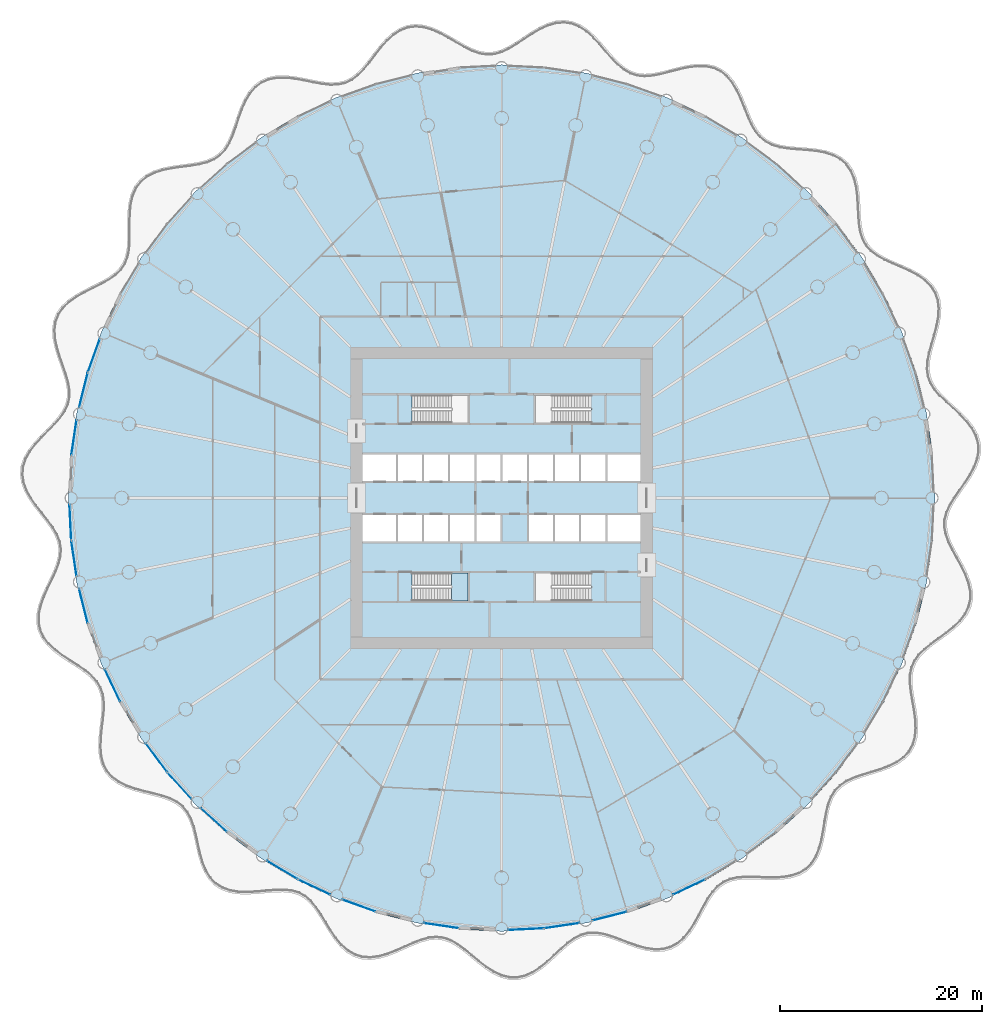
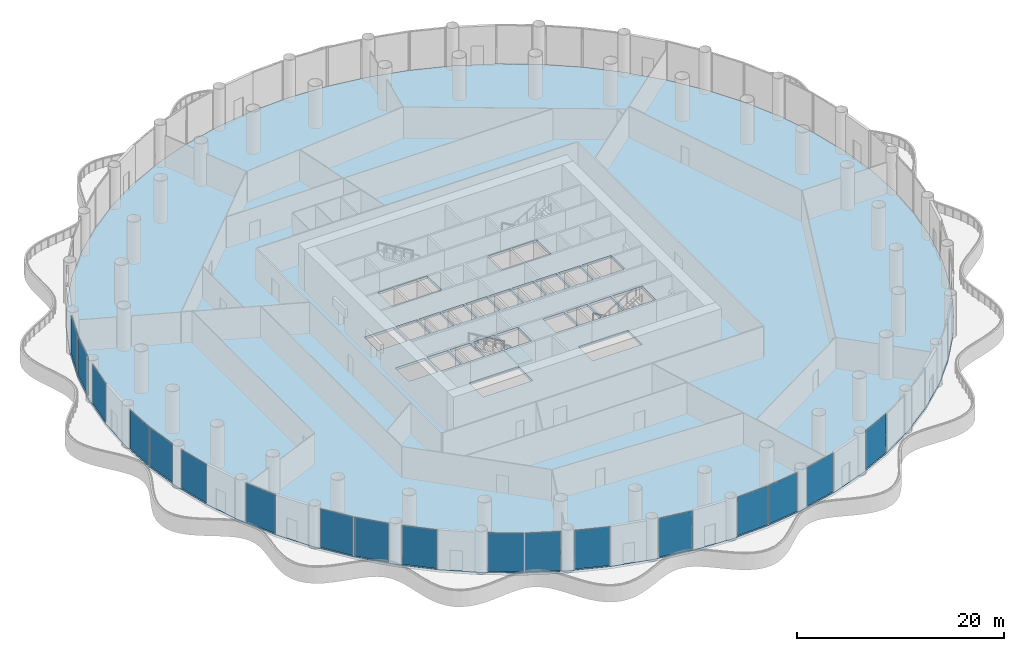
# One storey, part 19 of 35: 18 plates, 2 slabs, 19 elements without a shape of their own.
"""IFC4 building model written with IfcOpenShell, lengths in metres."""

from ifc_helpers import new_model, si_unit, direction, frame, origin, origin_2d, place, context, subcontext, project, spatial, polyline, rectangle, outline, extrude, material, layer, layer_set, type_object, element, aggregate, save


model = new_model("IFC4")

# Units and contexts
model_context = context("Model", 3, precision=1e-05, world=origin(), true_north=direction((0.0, 1.0)))
body_context = subcontext(model_context, "Body", "Model", "MODEL_VIEW")
ifc_project = project(units=[si_unit("LENGTHUNIT", "METRE"), si_unit("AREAUNIT", "SQUARE_METRE"), si_unit("VOLUMEUNIT", "CUBIC_METRE"), si_unit("PLANEANGLEUNIT", "RADIAN"), si_unit("MASSUNIT", "GRAM", prefix="KILO")], contexts=[model_context])

# Site, building, storey
site_placement = place(None, origin())
site = spatial("IfcSite", under=ifc_project, at=site_placement, CompositionType="ELEMENT")
building_placement = place(site_placement, origin())
building = spatial("IfcBuilding", under=site, at=building_placement, Name="Corvane Civic Tower", CompositionType="ELEMENT")
storey_placement = place(building_placement, frame((0.0, 0.0, 27.0)))
storey = spatial("IfcBuildingStorey", under=building, at=storey_placement, Name="L05", CompositionType="ELEMENT", Elevation=27.0)

# Slab
ifc_material_1 = material(Name="Concrete C40/50", Category="concrete")
ifc_layer_1 = layer(ifc_material_1, 0.300048828125)
ifc_layer_set_1 = layer_set([ifc_layer_1], Name="Concrete C40/50")
slab_type_1 = type_object("IfcSlabType", Name="FLOOR SLAB 300", PredefinedType="FLOOR", material=ifc_layer_set_1)
slab_1_placement = place(storey_placement, frame((0.0, 0.0, -0.300048828125)))
element("IfcSlab", 1, at=slab_1_placement, inside=storey, type_object=slab_type_1, Name="SLB-L05", PredefinedType="FLOOR", context=body_context, shape_type="SweptSolid", body=[
    extrude(outline(polyline([(0.0, 43.0), (-4.21484375, 42.79296875), (-8.388916015625, 42.173828125), (-12.482177734375, 41.1484375), (-16.455322265625, 39.726806640625), (-20.27001953125, 37.922607421875), (-23.889404296875, 35.753173828125), (-27.27880859375, 33.239501953125), (-30.405517578125, 30.405517578125), (-33.239501953125, 27.27880859375), (-35.753173828125, 23.889404296875), (-37.922607421875, 20.27001953125), (-39.726806640625, 16.455322265625), (-41.1484375, 12.482177734375), (-42.173828125, 8.388916015625), (-42.79296875, 4.21484375), (-43.0, 0.0), (-42.79296875, -4.21484375), (-42.173828125, -8.388916015625), (-41.1484375, -12.482177734375), (-39.726806640625, -16.455322265625), (-37.922607421875, -20.27001953125), (-35.753173828125, -23.889404296875), (-33.239501953125, -27.27880859375), (-30.405517578125, -30.405517578125), (-27.27880859375, -33.239501953125), (-23.889404296875, -35.753173828125), (-20.27001953125, -37.922607421875), (-16.455322265625, -39.726806640625), (-12.482177734375, -41.1484375), (-8.388916015625, -42.173828125), (-4.21484375, -42.79296875), (0.0, -43.0), (4.21484375, -42.79296875), (8.388916015625, -42.173828125), (12.482177734375, -41.1484375), (16.455322265625, -39.726806640625), (20.27001953125, -37.922607421875), (23.889404296875, -35.753173828125), (27.27880859375, -33.239501953125), (30.405517578125, -30.405517578125), (33.239501953125, -27.27880859375), (35.753173828125, -23.889404296875), (37.922607421875, -20.27001953125), (39.726806640625, -16.455322265625), (41.1484375, -12.482177734375), (42.173828125, -8.388916015625), (42.79296875, -4.21484375), (43.0, 0.0), (42.79296875, 4.21484375), (42.173828125, 8.388916015625), (41.1484375, 12.482177734375), (39.726806640625, 16.455322265625), (37.922607421875, 20.27001953125), (35.753173828125, 23.889404296875), (33.239501953125, 27.27880859375), (30.405517578125, 30.405517578125), (27.27880859375, 33.239501953125), (23.889404296875, 35.753173828125), (20.27001953125, 37.922607421875), (16.455322265625, 39.726806640625), (12.482177734375, 41.1484375), (8.388916015625, 42.173828125), (4.21484375, 42.79296875), (0.0, 43.0)]), holes=[polyline([(-13.800048828125, 4.300048828125), (-10.5, 4.300048828125), (-10.5, 1.699951171875), (-13.800048828125, 1.699951171875), (-13.800048828125, 4.300048828125)]), polyline([(-7.89990234375, 1.699951171875), (-10.300048828125, 1.699951171875), (-10.300048828125, 4.300048828125), (-7.89990234375, 4.300048828125), (-7.89990234375, 1.699951171875)]), polyline([(-7.699951171875, 4.300048828125), (-5.300048828125, 4.300048828125), (-5.300048828125, 1.699951171875), (-7.699951171875, 1.699951171875), (-7.699951171875, 4.300048828125)]), polyline([(-5.10009765625, 4.300048828125), (-2.699951171875, 4.300048828125), (-2.699951171875, 1.699951171875), (-5.10009765625, 1.699951171875), (-5.10009765625, 4.300048828125)]), polyline([(-2.5, 4.300048828125), (-0.10009765625, 4.300048828125), (-0.10009765625, 1.699951171875), (-2.5, 1.699951171875), (-2.5, 4.300048828125)]), polyline([(2.5, 1.699951171875), (0.10009765625, 1.699951171875), (0.10009765625, 4.300048828125), (2.5, 4.300048828125), (2.5, 1.699951171875)]), polyline([(5.10009765625, 1.699951171875), (2.699951171875, 1.699951171875), (2.699951171875, 4.300048828125), (5.10009765625, 4.300048828125), (5.10009765625, 1.699951171875)]), polyline([(5.300048828125, 4.300048828125), (7.699951171875, 4.300048828125), (7.699951171875, 1.699951171875), (5.300048828125, 1.699951171875), (5.300048828125, 4.300048828125)]), polyline([(7.89990234375, 4.300048828125), (10.300048828125, 4.300048828125), (10.300048828125, 1.699951171875), (7.89990234375, 1.699951171875), (7.89990234375, 4.300048828125)]), polyline([(13.800048828125, 1.699951171875), (10.5, 1.699951171875), (10.5, 4.300048828125), (13.800048828125, 4.300048828125), (13.800048828125, 1.699951171875)]), polyline([(-13.800048828125, -1.699951171875), (-10.5, -1.699951171875), (-10.5, -4.300048828125), (-13.800048828125, -4.300048828125), (-13.800048828125, -1.699951171875)]), polyline([(-10.300048828125, -1.699951171875), (-7.89990234375, -1.699951171875), (-7.89990234375, -4.300048828125), (-10.300048828125, -4.300048828125), (-10.300048828125, -1.699951171875)]), polyline([(-7.699951171875, -1.699951171875), (-5.300048828125, -1.699951171875), (-5.300048828125, -4.300048828125), (-7.699951171875, -4.300048828125), (-7.699951171875, -1.699951171875)]), polyline([(-5.10009765625, -1.699951171875), (-2.699951171875, -1.699951171875), (-2.699951171875, -4.300048828125), (-5.10009765625, -4.300048828125), (-5.10009765625, -1.699951171875)]), polyline([(-2.5, -1.699951171875), (-0.10009765625, -1.699951171875), (-0.10009765625, -4.300048828125), (-2.5, -4.300048828125), (-2.5, -1.699951171875)]), polyline([(2.699951171875, -1.699951171875), (5.10009765625, -1.699951171875), (5.10009765625, -4.300048828125), (2.699951171875, -4.300048828125), (2.699951171875, -1.699951171875)]), polyline([(5.300048828125, -4.300048828125), (5.300048828125, -1.699951171875), (7.699951171875, -1.699951171875), (7.699951171875, -4.300048828125), (5.300048828125, -4.300048828125)]), polyline([(7.89990234375, -4.300048828125), (7.89990234375, -1.699951171875), (10.300048828125, -1.699951171875), (10.300048828125, -4.300048828125), (7.89990234375, -4.300048828125)]), polyline([(13.800048828125, -4.300048828125), (10.5, -4.300048828125), (10.5, -1.699951171875), (13.800048828125, -1.699951171875), (13.800048828125, -4.300048828125)]), polyline([(8.889892578125, 10.199951171875), (8.889892578125, 7.449951171875), (3.35009765625, 7.449951171875), (3.35009765625, 10.199951171875), (8.889892578125, 10.199951171875)]), polyline([(-8.889892578125, 7.449951171875), (-8.889892578125, 10.199951171875), (-3.35009765625, 10.199951171875), (-3.35009765625, 7.449951171875), (-8.889892578125, 7.449951171875)]), polyline([(8.889892578125, -7.449951171875), (8.889892578125, -10.199951171875), (3.35009765625, -10.199951171875), (3.35009765625, -7.449951171875), (8.889892578125, -7.449951171875)]), polyline([(-8.889892578125, -10.199951171875), (-8.889892578125, -7.449951171875), (-3.35009765625, -7.449951171875), (-3.35009765625, -10.199951171875), (-8.889892578125, -10.199951171875)])]), origin(), (0.0, 0.0, 1.0), 0.300048828125),
])

# Curtain wall, plate
ifc_material_2 = material(Name="Aluminium and glass", Category="aluminium")
curtain_wall_type = type_object("IfcCurtainWallType", Name="PODIUM-CW-P-RUN", PredefinedType="NOTDEFINED", material=ifc_material_2)
curtain_wall_1_placement = place(storey_placement, origin())
curtain_wall_1 = element("IfcCurtainWall", 2, at=curtain_wall_1_placement, inside=storey, type_object=curtain_wall_type, Name="PODI run L05-drum-14B", PredefinedType="NOTDEFINED")
ifc_material_3 = material(Name="Glass tinted low-e laminated", Category="glass")
ifc_layer_2 = layer(ifc_material_3, 0.031982421875)
ifc_layer_set_2 = layer_set([ifc_layer_2], Name="Glass tinted low-e laminated")
plate_type = type_object("IfcPlateType", Name="PODIUM-CWP-PANEL-IGU32", PredefinedType="CURTAIN_PANEL", material=ifc_layer_set_2)
plate_1_placement = place(storey_placement, frame((18.595458984375, -38.614990234375, 0.06005859375), z_axis=(0.0, 0.0, 1.0), x_axis=(-0.903990222454, -0.42755312852, 0.0)))
plate_1 = element("IfcPlate", 3, at=plate_1_placement, type_object=plate_type, Name="CW-P panel 1.1", PredefinedType="CURTAIN_PANEL", context=body_context, shape_type="SweptSolid", body=[
    extrude(rectangle(XDim=3.4599609375, YDim=0.031982421875, at=origin_2d()), origin(), (0.0, 0.0, 1.0), 4.580078125),
])
aggregate(curtain_wall_1, [plate_1])

curtain_wall_2_placement = place(storey_placement, origin())
curtain_wall_2 = element("IfcCurtainWall", 4, at=curtain_wall_2_placement, inside=storey, type_object=curtain_wall_type, Name="PODI run L05-drum-15B", PredefinedType="NOTDEFINED")
plate_2_placement = place(storey_placement, frame((10.70458984375, -41.5009765625, 0.06005859375), z_axis=(0.0, 0.0, 1.0), x_axis=(-0.970024070659, -0.243008852393, 0.0)))
plate_2 = element("IfcPlate", 5, at=plate_2_placement, type_object=plate_type, Name="CW-P panel 1.1", PredefinedType="CURTAIN_PANEL", context=body_context, shape_type="SweptSolid", body=[
    extrude(rectangle(XDim=3.459716796875, YDim=0.031982421875, at=origin_2d()), origin(), (0.0, 0.0, 1.0), 4.580078125),
])
aggregate(curtain_wall_2, [plate_2])

curtain_wall_3_placement = place(storey_placement, origin())
curtain_wall_3 = element("IfcCurtainWall", 6, at=curtain_wall_3_placement, inside=storey, type_object=curtain_wall_type, Name="PODI run L05-drum-16A", PredefinedType="NOTDEFINED")
plate_3_placement = place(storey_placement, frame((5.991943359375, -42.4384765625, 0.06005859375), z_axis=(0.0, 0.0, 1.0), x_axis=(-0.989178850608, -0.146714694252, 0.0)))
plate_3 = element("IfcPlate", 7, at=plate_3_placement, type_object=plate_type, Name="CW-P panel 1.1", PredefinedType="CURTAIN_PANEL", context=body_context, shape_type="SweptSolid", body=[
    extrude(rectangle(XDim=3.459716796875, YDim=0.031982421875, at=origin_2d()), origin(), (0.0, 0.0, 1.0), 4.580078125),
])
aggregate(curtain_wall_3, [plate_3])

curtain_wall_4_placement = place(storey_placement, origin())
curtain_wall_4 = element("IfcCurtainWall", 8, at=curtain_wall_4_placement, inside=storey, type_object=curtain_wall_type, Name="PODI run L05-drum-16B", PredefinedType="NOTDEFINED")
plate_4_placement = place(storey_placement, frame((2.402587890625, -42.7919921875, 0.06005859375), z_axis=(0.0, 0.0, 1.0), x_axis=(-0.998796316803, -0.04905015332, 0.0)))
plate_4 = element("IfcPlate", 9, at=plate_4_placement, type_object=plate_type, Name="CW-P panel 1.1", PredefinedType="CURTAIN_PANEL", context=body_context, shape_type="SweptSolid", body=[
    extrude(rectangle(XDim=3.4599609375, YDim=0.031982421875, at=origin_2d()), origin(), (0.0, 0.0, 1.0), 4.580078125),
])
aggregate(curtain_wall_4, [plate_4])

curtain_wall_5_placement = place(storey_placement, origin())
curtain_wall_5 = element("IfcCurtainWall", 10, at=curtain_wall_5_placement, inside=storey, type_object=curtain_wall_type, Name="PODI run L05-drum-17B", PredefinedType="NOTDEFINED")
plate_5_placement = place(storey_placement, frame((-5.991943359375, -42.4384765625, 0.06005859375), z_axis=(0.0, 0.0, 1.0), x_axis=(-0.989178850608, 0.146714694252, 0.0)))
plate_5 = element("IfcPlate", 11, at=plate_5_placement, type_object=plate_type, Name="CW-P panel 1.1", PredefinedType="CURTAIN_PANEL", context=body_context, shape_type="SweptSolid", body=[
    extrude(rectangle(XDim=3.459716796875, YDim=0.031982421875, at=origin_2d()), origin(), (0.0, 0.0, 1.0), 4.580078125),
])
aggregate(curtain_wall_5, [plate_5])

curtain_wall_6_placement = place(storey_placement, origin())
curtain_wall_6 = element("IfcCurtainWall", 12, at=curtain_wall_6_placement, inside=storey, type_object=curtain_wall_type, Name="PODI run L05-drum-18B", PredefinedType="NOTDEFINED")
plate_6_placement = place(storey_placement, frame((-14.156005859375, -40.453857421875, 0.06005859375), z_axis=(0.0, 0.0, 1.0), x_axis=(-0.941533802561, 0.336918534123, 0.0)))
plate_6 = element("IfcPlate", 13, at=plate_6_placement, type_object=plate_type, Name="CW-P panel 1.1", PredefinedType="CURTAIN_PANEL", context=body_context, shape_type="SweptSolid", body=[
    extrude(rectangle(XDim=3.459716796875, YDim=0.031982421875, at=origin_2d()), origin(), (0.0, 0.0, 1.0), 4.580078125),
])
aggregate(curtain_wall_6, [plate_6])

curtain_wall_7_placement = place(storey_placement, origin())
curtain_wall_7 = element("IfcCurtainWall", 14, at=curtain_wall_7_placement, inside=storey, type_object=curtain_wall_type, Name="PODI run L05-drum-19A", PredefinedType="NOTDEFINED")
plate_7_placement = place(storey_placement, frame((-18.595458984375, -38.614990234375, 0.06005859375), z_axis=(0.0, 0.0, 1.0), x_axis=(-0.903990222454, 0.42755312852, 0.0)))
plate_7 = element("IfcPlate", 15, at=plate_7_placement, type_object=plate_type, Name="CW-P panel 1.1", PredefinedType="CURTAIN_PANEL", context=body_context, shape_type="SweptSolid", body=[
    extrude(rectangle(XDim=3.4599609375, YDim=0.031982421875, at=origin_2d()), origin(), (0.0, 0.0, 1.0), 4.580078125),
])
aggregate(curtain_wall_7, [plate_7])

curtain_wall_8_placement = place(storey_placement, origin())
curtain_wall_8 = element("IfcCurtainWall", 16, at=curtain_wall_8_placement, inside=storey, type_object=curtain_wall_type, Name="PODI run L05-drum-19B", PredefinedType="NOTDEFINED")
plate_8_placement = place(storey_placement, frame((-21.776123046875, -36.914794921875, 0.06005859375), z_axis=(0.0, 0.0, 1.0), x_axis=(-0.857719609779, 0.514117759857, 0.0)))
plate_8 = element("IfcPlate", 17, at=plate_8_placement, type_object=plate_type, Name="CW-P panel 1.1", PredefinedType="CURTAIN_PANEL", context=body_context, shape_type="SweptSolid", body=[
    extrude(rectangle(XDim=3.459716796875, YDim=0.031982421875, at=origin_2d()), origin(), (0.0, 0.0, 1.0), 4.580078125),
])
aggregate(curtain_wall_8, [plate_8])

curtain_wall_9_placement = place(storey_placement, origin())
curtain_wall_9 = element("IfcCurtainWall", 18, at=curtain_wall_9_placement, inside=storey, type_object=curtain_wall_type, Name="PODI run L05-drum-20B", PredefinedType="NOTDEFINED")
plate_9_placement = place(storey_placement, frame((-28.5595703125, -31.957275390625, 0.06005859375), z_axis=(0.0, 0.0, 1.0), x_axis=(-0.740935261089, 0.671576457952, 0.0)))
plate_9 = element("IfcPlate", 19, at=plate_9_placement, type_object=plate_type, Name="CW-P panel 1.1", PredefinedType="CURTAIN_PANEL", context=body_context, shape_type="SweptSolid", body=[
    extrude(rectangle(XDim=3.4599609375, YDim=0.031982421875, at=origin_2d()), origin(), (0.0, 0.0, 1.0), 4.580078125),
])
aggregate(curtain_wall_9, [plate_9])

curtain_wall_10_placement = place(storey_placement, origin())
curtain_wall_10 = element("IfcCurtainWall", 20, at=curtain_wall_10_placement, inside=storey, type_object=curtain_wall_type, Name="PODI run L05-drum-21A", PredefinedType="NOTDEFINED")
plate_10_placement = place(storey_placement, frame((-31.957275390625, -28.5595703125, 0.06005859375), z_axis=(0.0, 0.0, 1.0), x_axis=(-0.671576457952, 0.740935261089, 0.0)))
plate_10 = element("IfcPlate", 21, at=plate_10_placement, type_object=plate_type, Name="CW-P panel 1.1", PredefinedType="CURTAIN_PANEL", context=body_context, shape_type="SweptSolid", body=[
    extrude(rectangle(XDim=3.4599609375, YDim=0.031982421875, at=origin_2d()), origin(), (0.0, 0.0, 1.0), 4.580078125),
])
aggregate(curtain_wall_10, [plate_10])

curtain_wall_11_placement = place(storey_placement, origin())
curtain_wall_11 = element("IfcCurtainWall", 22, at=curtain_wall_11_placement, inside=storey, type_object=curtain_wall_type, Name="PODI run L05-drum-21B", PredefinedType="NOTDEFINED")
plate_11_placement = place(storey_placement, frame((-34.245361328125, -25.771484375, 0.06005859375), z_axis=(0.0, 0.0, 1.0), x_axis=(-0.595705104665, 0.803203229747, 0.0)))
plate_11 = element("IfcPlate", 23, at=plate_11_placement, type_object=plate_type, Name="CW-P panel 1.1", PredefinedType="CURTAIN_PANEL", context=body_context, shape_type="SweptSolid", body=[
    extrude(rectangle(XDim=3.459716796875, YDim=0.031982421875, at=origin_2d()), origin(), (0.0, 0.0, 1.0), 4.580078125),
])
aggregate(curtain_wall_11, [plate_11])

curtain_wall_12_placement = place(storey_placement, origin())
curtain_wall_12 = element("IfcCurtainWall", 24, at=curtain_wall_12_placement, inside=storey, type_object=curtain_wall_type, Name="PODI run L05-drum-22B", PredefinedType="NOTDEFINED")
plate_12_placement = place(storey_placement, frame((-38.614990234375, -18.595458984375, 0.06005859375), z_axis=(0.0, 0.0, 1.0), x_axis=(-0.42755312852, 0.903990222454, 0.0)))
plate_12 = element("IfcPlate", 25, at=plate_12_placement, type_object=plate_type, Name="CW-P panel 1.1", PredefinedType="CURTAIN_PANEL", context=body_context, shape_type="SweptSolid", body=[
    extrude(rectangle(XDim=3.4599609375, YDim=0.031982421875, at=origin_2d()), origin(), (0.0, 0.0, 1.0), 4.580078125),
])
aggregate(curtain_wall_12, [plate_12])

curtain_wall_13_placement = place(storey_placement, origin())
curtain_wall_13 = element("IfcCurtainWall", 26, at=curtain_wall_13_placement, inside=storey, type_object=curtain_wall_type, Name="PODI run L05-drum-23B", PredefinedType="NOTDEFINED")
plate_13_placement = place(storey_placement, frame((-41.5009765625, -10.70458984375, 0.06005859375), z_axis=(0.0, 0.0, 1.0), x_axis=(-0.243008852393, 0.970024070659, 0.0)))
plate_13 = element("IfcPlate", 27, at=plate_13_placement, type_object=plate_type, Name="CW-P panel 1.1", PredefinedType="CURTAIN_PANEL", context=body_context, shape_type="SweptSolid", body=[
    extrude(rectangle(XDim=3.459716796875, YDim=0.031982421875, at=origin_2d()), origin(), (0.0, 0.0, 1.0), 4.580078125),
])
aggregate(curtain_wall_13, [plate_13])

curtain_wall_14_placement = place(storey_placement, origin())
curtain_wall_14 = element("IfcCurtainWall", 28, at=curtain_wall_14_placement, inside=storey, type_object=curtain_wall_type, Name="PODI run L05-drum-24A", PredefinedType="NOTDEFINED")
plate_14_placement = place(storey_placement, frame((-42.4384765625, -5.991943359375, 0.06005859375), z_axis=(0.0, 0.0, 1.0), x_axis=(-0.146714694252, 0.989178850608, 0.0)))
plate_14 = element("IfcPlate", 29, at=plate_14_placement, type_object=plate_type, Name="CW-P panel 1.1", PredefinedType="CURTAIN_PANEL", context=body_context, shape_type="SweptSolid", body=[
    extrude(rectangle(XDim=3.459716796875, YDim=0.031982421875, at=origin_2d()), origin(), (0.0, 0.0, 1.0), 4.580078125),
])
aggregate(curtain_wall_14, [plate_14])

curtain_wall_15_placement = place(storey_placement, origin())
curtain_wall_15 = element("IfcCurtainWall", 30, at=curtain_wall_15_placement, inside=storey, type_object=curtain_wall_type, Name="PODI run L05-drum-24B", PredefinedType="NOTDEFINED")
plate_15_placement = place(storey_placement, frame((-42.7919921875, -2.402587890625, 0.06005859375), z_axis=(0.0, 0.0, 1.0), x_axis=(-0.04905015332, 0.998796316803, 0.0)))
plate_15 = element("IfcPlate", 31, at=plate_15_placement, type_object=plate_type, Name="CW-P panel 1.1", PredefinedType="CURTAIN_PANEL", context=body_context, shape_type="SweptSolid", body=[
    extrude(rectangle(XDim=3.4599609375, YDim=0.031982421875, at=origin_2d()), origin(), (0.0, 0.0, 1.0), 4.580078125),
])
aggregate(curtain_wall_15, [plate_15])

curtain_wall_16_placement = place(storey_placement, origin())
curtain_wall_16 = element("IfcCurtainWall", 32, at=curtain_wall_16_placement, inside=storey, type_object=curtain_wall_type, Name="PODI run L05-drum-25B", PredefinedType="NOTDEFINED")
plate_16_placement = place(storey_placement, frame((-42.4384765625, 5.991943359375, 0.06005859375), z_axis=(0.0, 0.0, 1.0), x_axis=(0.146714694252, 0.989178850608, 0.0)))
plate_16 = element("IfcPlate", 33, at=plate_16_placement, type_object=plate_type, Name="CW-P panel 1.1", PredefinedType="CURTAIN_PANEL", context=body_context, shape_type="SweptSolid", body=[
    extrude(rectangle(XDim=3.459716796875, YDim=0.031982421875, at=origin_2d()), origin(), (0.0, 0.0, 1.0), 4.580078125),
])
aggregate(curtain_wall_16, [plate_16])

curtain_wall_17_placement = place(storey_placement, origin())
curtain_wall_17 = element("IfcCurtainWall", 34, at=curtain_wall_17_placement, inside=storey, type_object=curtain_wall_type, Name="PODI run L05-drum-26A", PredefinedType="NOTDEFINED")
plate_17_placement = place(storey_placement, frame((-41.5009765625, 10.70458984375, 0.06005859375), z_axis=(0.0, 0.0, 1.0), x_axis=(0.243008852393, 0.970024070659, 0.0)))
plate_17 = element("IfcPlate", 35, at=plate_17_placement, type_object=plate_type, Name="CW-P panel 1.1", PredefinedType="CURTAIN_PANEL", context=body_context, shape_type="SweptSolid", body=[
    extrude(rectangle(XDim=3.459716796875, YDim=0.031982421875, at=origin_2d()), origin(), (0.0, 0.0, 1.0), 4.580078125),
])
aggregate(curtain_wall_17, [plate_17])

curtain_wall_18_placement = place(storey_placement, origin())
curtain_wall_18 = element("IfcCurtainWall", 36, at=curtain_wall_18_placement, inside=storey, type_object=curtain_wall_type, Name="PODI run L05-drum-26B", PredefinedType="NOTDEFINED")
plate_18_placement = place(storey_placement, frame((-40.453857421875, 14.156005859375, 0.06005859375), z_axis=(0.0, 0.0, 1.0), x_axis=(0.336918534123, 0.941533802561, 0.0)))
plate_18 = element("IfcPlate", 37, at=plate_18_placement, type_object=plate_type, Name="CW-P panel 1.1", PredefinedType="CURTAIN_PANEL", context=body_context, shape_type="SweptSolid", body=[
    extrude(rectangle(XDim=3.459716796875, YDim=0.031982421875, at=origin_2d()), origin(), (0.0, 0.0, 1.0), 4.580078125),
])
aggregate(curtain_wall_18, [plate_18])

# Stair, slab
ifc_material_4 = material(Name="Concrete C40/50", Category="concrete")
stair_type = type_object("IfcStairType", Name="ST-STAIR-HALFTURN", PredefinedType="HALF_TURN_STAIR", material=ifc_material_4)
stair_placement = place(storey_placement, origin())
stair = element("IfcStair", 38, at=stair_placement, inside=storey, type_object=stair_type, Name="L05 Exit stair ST3", PredefinedType="HALF_TURN_STAIR")
ifc_material_5 = material(Name="Concrete C40/50", Category="concrete")
ifc_layer_3 = layer(ifc_material_5, 0.199951171875)
ifc_layer_set_3 = layer_set([ifc_layer_3], Name="Concrete C40/50")
slab_type_2 = type_object("IfcSlabType", Name="ST-LANDING-RC", PredefinedType="LANDING", material=ifc_layer_set_3)
slab_2_placement = place(storey_placement, frame((0.0, 0.0, 2.300048828125)))
slab_2 = element("IfcSlab", 39, at=slab_2_placement, type_object=slab_type_2, Name="ST3 landing 1", PredefinedType="LANDING", context=body_context, shape_type="SweptSolid", body=[
    extrude(outline(polyline([(-4.97998046875, -10.199951171875), (-3.35009765625, -10.199951171875), (-3.35009765625, -7.449951171875), (-4.97998046875, -7.449951171875), (-4.97998046875, -10.199951171875)])), origin(), (0.0, 0.0, 1.0), 0.199951171875),
])
aggregate(stair, [slab_2])

save(model, "model.ifc")
